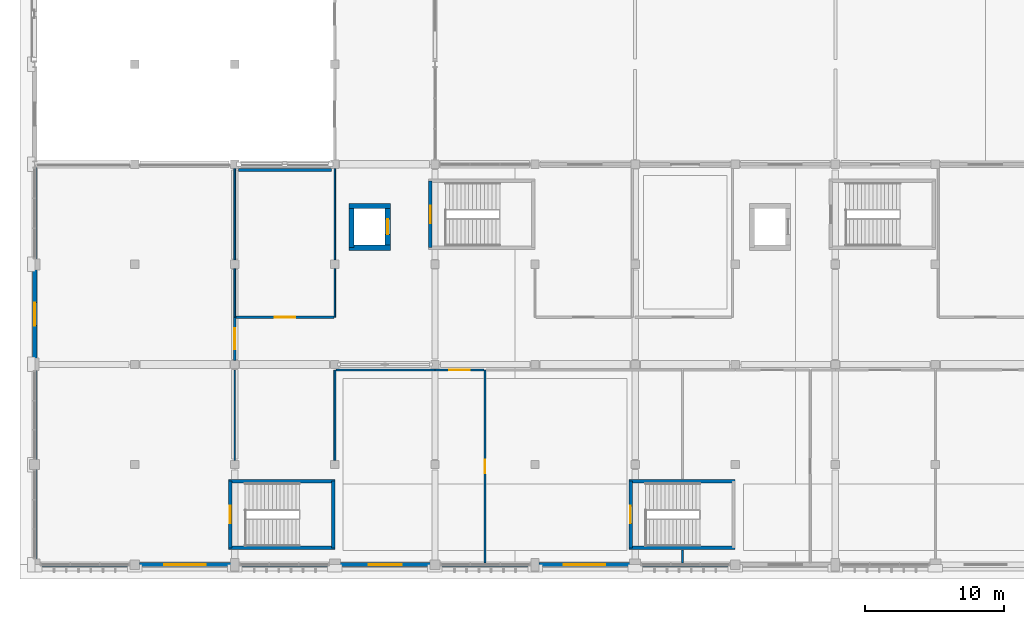
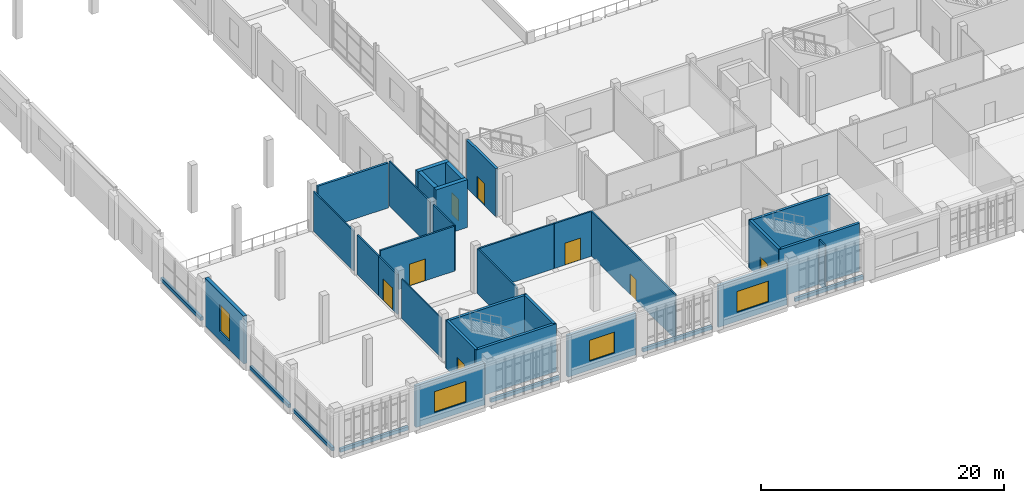
# One storey, part 56 of 82: 36 walls, 8 doors, 4 windows, 12 openings.
"""IFC4 building model written with IfcOpenShell, lengths in metres."""

from ifc_helpers import new_model, si_unit, direction, frame, frame_2d, origin, place, context, subcontext, project, spatial, rectangle, extrude, material, layer, layer_set, type_object, element, fill, save


model = new_model("IFC4")

# Units and contexts
model_context = context("Model", 3, precision=1e-05, world=origin(), true_north=direction((0.0, 1.0)))
body_context = subcontext(model_context, "Body", "Model", "MODEL_VIEW")
ifc_project = project(units=[si_unit("LENGTHUNIT", "METRE"), si_unit("AREAUNIT", "SQUARE_METRE"), si_unit("VOLUMEUNIT", "CUBIC_METRE"), si_unit("PLANEANGLEUNIT", "RADIAN"), si_unit("MASSUNIT", "GRAM", prefix="KILO")], contexts=[model_context])

# Site, building, storey
site_placement = place(None, origin())
site = spatial("IfcSite", under=ifc_project, at=site_placement, CompositionType="ELEMENT")
building_placement = place(site_placement, origin())
building = spatial("IfcBuilding", under=site, at=building_placement, Name="Sardonyx Promenade Sports Hall", CompositionType="ELEMENT")
storey_placement = place(building_placement, frame((0.0, 0.0, 11.199951171875)))
storey = spatial("IfcBuildingStorey", under=building, at=storey_placement, Name="L02", CompositionType="ELEMENT", Elevation=11.199951171875)

# Wall, opening, door
ifc_material_1 = material(Name="Concrete C40/50", Category="concrete")
ifc_layer_1 = layer(ifc_material_1, 0.3798828125)
ifc_layer_set_1 = layer_set([ifc_layer_1], Name="Wall_Core_Shear_380")
wall_type_1 = type_object("IfcWallType", Name="Wall_Core_Shear_380", PredefinedType="SHEAR", material=ifc_layer_set_1)
wall_1_placement = place(storey_placement, frame((25.39990234375, 22.800048828125, 0.0), z_axis=(0.0, 0.0, 1.0), x_axis=(0.0, 1.0, 0.0)))
wall_1 = element("IfcWall", 1, at=wall_1_placement, inside=storey, type_object=wall_type_1, Name="Lift shaft wall LF1 L02 E", PredefinedType="SHEAR", context=body_context, shape_type="SweptSolid", body=[
    extrude(rectangle(XDim=3.0, YDim=0.3798828125, at=frame_2d((1.5, 0.0))), origin(), (0.0, 0.0, 1.0), 4.800048828125),
])
opening_1_placement = place(wall_1_placement, frame((0.949951171875, 0.0, 0.0)))
opening_1 = element("IfcOpeningElement", 2, at=opening_1_placement, cuts=wall_1, Name="Opening LD01", PredefinedType="OPENING", context=body_context, shape_type="SweptSolid", body=[
    extrude(rectangle(XDim=1.10009765625, YDim=2.199951171875, at=frame_2d((0.550048828125, 1.10009765625))), frame((0.0, 0.2, 0.0), z_axis=(0.0, -1.0, 0.0), x_axis=(1.0, 0.0, 0.0)), (0.0, 0.0, 1.0), 0.4),
])
ifc_material_2 = material(Name="Fire-rated stainless steel sliding lift door", Category="steel")
door_type_1 = type_object("IfcDoorType", Name="Door_Lift_Pass_110x220", OperationType="NOTDEFINED", PredefinedType="DOOR", material=ifc_material_2)
door_1_placement = place(opening_1_placement, origin())
door_1 = element("IfcDoor", 3, at=door_1_placement, inside=storey, type_object=door_type_1, Name="Lift landing sliding door LD-LF1-L02", OperationType="SLIDING_TO_LEFT", OverallHeight=2.199951171875, OverallWidth=1.10009765625, PredefinedType="DOOR", context=body_context, shape_type="SweptSolid", body=[
    extrude(rectangle(XDim=1.10009765625, YDim=2.199951171875, at=frame_2d((0.550048828125, 1.10009765625))), frame((0.0, 0.02490234375, 0.0), z_axis=(0.0, -1.0, 0.0), x_axis=(1.0, 0.0, 0.0)), (0.0, 0.0, 1.0), 0.050048828125),
])
fill(opening_1, door_1)

# Walls
wall_2_placement = place(storey_placement, frame((22.610107421875, 25.800048828125, 0.0), z_axis=(0.0, 0.0, 1.0), x_axis=(1.0, 0.0, 0.0)))
element("IfcWall", 4, at=wall_2_placement, inside=storey, type_object=wall_type_1, Name="Lift shaft wall LF1 L02 N", PredefinedType="SHEAR", context=body_context, shape_type="SweptSolid", body=[
    extrude(rectangle(XDim=2.97998046875, YDim=0.3798828125, at=frame_2d((1.489990234375, 0.0))), origin(), (0.0, 0.0, 1.0), 4.800048828125),
])
wall_3_placement = place(storey_placement, frame((22.800048828125, 25.800048828125, 0.0), z_axis=(0.0, 0.0, 1.0), x_axis=(0.0, -1.0, 0.0)))
element("IfcWall", 5, at=wall_3_placement, inside=storey, type_object=wall_type_1, Name="Lift shaft wall LF1 L02 W", PredefinedType="SHEAR", context=body_context, shape_type="SweptSolid", body=[
    extrude(rectangle(XDim=3.0, YDim=0.3798828125, at=frame_2d((1.5, 0.0))), origin(), (0.0, 0.0, 1.0), 4.800048828125),
])
wall_4_placement = place(storey_placement, frame((25.590087890625, 22.800048828125, 0.0), z_axis=(0.0, 0.0, 1.0), x_axis=(-1.0, 0.0, 0.0)))
element("IfcWall", 6, at=wall_4_placement, inside=storey, type_object=wall_type_1, Name="Lift shaft wall LF1 L02 S", PredefinedType="SHEAR", context=body_context, shape_type="SweptSolid", body=[
    extrude(rectangle(XDim=2.97998046875, YDim=0.3798828125, at=frame_2d((1.489990234375, 0.0))), origin(), (0.0, 0.0, 1.0), 4.800048828125),
])

# Wall, opening, window
ifc_material_3 = material(Name="Concrete C40/50", Category="concrete")
ifc_layer_2 = layer(ifc_material_3, 0.320068359375)
ifc_layer_set_2 = layer_set([ifc_layer_2], Name="Wall_Ext_Court_320")
wall_type_2 = type_object("IfcWallType", Name="Wall_Ext_Court_320", PredefinedType="SOLIDWALL", material=ifc_layer_set_2)
wall_5_placement = place(storey_placement, frame((0.0, 14.8349609375, 0.0), z_axis=(0.0, 0.0, 1.0), x_axis=(0.0, 1.0, 0.0)))
wall_5 = element("IfcWall", 7, at=wall_5_placement, inside=storey, type_object=wall_type_2, Name="Exterior wall EW01 L02 #150", PredefinedType="SOLIDWALL", context=body_context, shape_type="SweptSolid", body=[
    extrude(rectangle(XDim=6.380126953125, YDim=0.320068359375, at=frame_2d((3.18994140625, 0.0))), origin(), (0.0, 0.0, 1.0), 4.800048828125),
])
opening_2_placement = place(wall_5_placement, frame((2.364990234375, 0.0, 0.89990234375)))
opening_2 = element("IfcOpeningElement", 8, at=opening_2_placement, cuts=wall_5, Name="Opening W10", PredefinedType="OPENING", context=body_context, shape_type="SweptSolid", body=[
    extrude(rectangle(XDim=1.64990234375, YDim=2.699951171875, at=frame_2d((0.824951171875, 1.35009765625))), frame((0.0, 0.17, 0.0), z_axis=(0.0, -1.0, 0.0), x_axis=(1.0, 0.0, 0.0)), (0.0, 0.0, 1.0), 0.34),
])
ifc_material_4 = material(Name="Double-glazed solar low-E aluminium window", Category="aluminium")
window_type_1 = type_object("IfcWindowType", Name="Win_Sandstone_TallB", PartitioningType="SINGLE_PANEL", PredefinedType="WINDOW", material=ifc_material_4)
window_1_placement = place(opening_2_placement, origin())
window_1 = element("IfcWindow", 9, at=window_1_placement, inside=storey, type_object=window_type_1, Name="Facade window W10 L02 #64", OverallHeight=2.699951171875, OverallWidth=1.64990234375, PartitioningType="SINGLE_PANEL", PredefinedType="WINDOW", context=body_context, shape_type="SweptSolid", body=[
    extrude(rectangle(XDim=1.64990234375, YDim=2.699951171875, at=frame_2d((0.824951171875, 1.35009765625))), frame((0.0, 0.030029296875, 0.0), z_axis=(0.0, -1.0, 0.0), x_axis=(1.0, 0.0, 0.0)), (0.0, 0.0, 1.0), 0.06005859375),
])
fill(opening_2, window_1)

# Walls
ifc_material_5 = material(Name="Masonry CMU 15 MPa", Category="masonry")
ifc_layer_3 = layer(ifc_material_5, 0.239990234375)
ifc_layer_set_3 = layer_set([ifc_layer_3], Name="Wall_Ext_Spandrel_240")
wall_type_3 = type_object("IfcWallType", Name="Wall_Ext_Spandrel_240", PredefinedType="SOLIDWALL", material=ifc_layer_set_3)
wall_6_placement = place(storey_placement, frame((50.06494140625, 0.0, 0.0), z_axis=(0.0, 0.0, 1.0), x_axis=(-1.0, 0.0, 0.0)))
element("IfcWall", 10, at=wall_6_placement, inside=storey, type_object=wall_type_3, Name="Curtain-wall sill spandrel L02 #70", PredefinedType="SOLIDWALL", context=body_context, shape_type="SweptSolid", body=[
    extrude(rectangle(XDim=6.47998046875, YDim=0.239990234375, at=frame_2d((3.239990234375, 0.0))), origin(), (0.0, 0.0, 1.0), 0.35009765625),
])
wall_7_placement = place(storey_placement, frame((35.715087890625, 0.0, 0.0), z_axis=(0.0, 0.0, 1.0), x_axis=(-1.0, 0.0, 0.0)))
element("IfcWall", 11, at=wall_7_placement, inside=storey, type_object=wall_type_3, Name="Curtain-wall sill spandrel L02 #72", PredefinedType="SOLIDWALL", context=body_context, shape_type="SweptSolid", body=[
    extrude(rectangle(XDim=6.580078125, YDim=0.239990234375, at=frame_2d((3.2900390625, 0.0))), origin(), (0.0, 0.0, 1.0), 0.35009765625),
])
wall_8_placement = place(storey_placement, frame((21.215087890625, 0.0, 0.0), z_axis=(0.0, 0.0, 1.0), x_axis=(-1.0, 0.0, 0.0)))
element("IfcWall", 12, at=wall_8_placement, inside=storey, type_object=wall_type_3, Name="Curtain-wall sill spandrel L02 #74", PredefinedType="SOLIDWALL", context=body_context, shape_type="SweptSolid", body=[
    extrude(rectangle(XDim=6.530029296875, YDim=0.239990234375, at=frame_2d((3.26513671875, 0.0))), origin(), (0.0, 0.0, 1.0), 0.35009765625),
])
for number, where, z_axis, x_axis, name in (
    (13, (6.864990234375, 0.0, 0.0), (0.0, 0.0, 1.0), (-1.0, 0.0, 0.0), "Curtain-wall sill spandrel L02 #76"),
    (14, (0.0, 0.385009765625, 0.0), (0.0, 0.0, 1.0), (0.0, 1.0, 0.0), "Curtain-wall sill spandrel L02 #148"),
):
    element("IfcWall", number, at=place(storey_placement, frame(where, z_axis=z_axis, x_axis=x_axis)), inside=storey, type_object=wall_type_3, Name=name, PredefinedType="SOLIDWALL", context=body_context, shape_type="SweptSolid", body=[
        extrude(rectangle(XDim=6.47998046875, YDim=0.239990234375, at=frame_2d((3.239990234375, 0.0))), origin(), (0.0, 0.0, 1.0), 0.35009765625),
    ])
wall_9_placement = place(storey_placement, frame((0.0, 7.534912109375, 0.0), z_axis=(0.0, 0.0, 1.0), x_axis=(0.0, 1.0, 0.0)))
element("IfcWall", 15, at=wall_9_placement, inside=storey, type_object=wall_type_3, Name="Curtain-wall sill spandrel L02 #149", PredefinedType="SOLIDWALL", context=body_context, shape_type="SweptSolid", body=[
    extrude(rectangle(XDim=6.43017578125, YDim=0.239990234375, at=frame_2d((3.215087890625, 0.0))), origin(), (0.0, 0.0, 1.0), 0.35009765625),
])
wall_10_placement = place(storey_placement, frame((0.0, 21.985107421875, 0.0), z_axis=(0.0, 0.0, 1.0), x_axis=(0.0, 1.0, 0.0)))
element("IfcWall", 16, at=wall_10_placement, inside=storey, type_object=wall_type_3, Name="Curtain-wall sill spandrel L02 #151", PredefinedType="SOLIDWALL", context=body_context, shape_type="SweptSolid", body=[
    extrude(rectangle(XDim=6.60986328125, YDim=0.239990234375, at=frame_2d((3.304931640625, 0.0))), origin(), (0.0, 0.0, 1.0), 0.35009765625),
])

# Wall, opening, window
ifc_material_6 = material(Name="Concrete C40/50", Category="concrete")
ifc_layer_4 = layer(ifc_material_6, 0.280029296875)
ifc_layer_set_4 = layer_set([ifc_layer_4], Name="Wall_Ext_Wing_280")
wall_type_4 = type_object("IfcWallType", Name="Wall_Ext_Wing_280", PredefinedType="SOLIDWALL", material=ifc_layer_set_4)
wall_11_placement = place(storey_placement, frame((42.81494140625, 0.0, 0.0), z_axis=(0.0, 0.0, 1.0), x_axis=(-1.0, 0.0, 0.0)))
wall_11 = element("IfcWall", 17, at=wall_11_placement, inside=storey, type_object=wall_type_4, Name="Exterior wall EW02 L02 #71", PredefinedType="SOLIDWALL", context=body_context, shape_type="SweptSolid", body=[
    extrude(rectangle(XDim=6.530029296875, YDim=0.280029296875, at=frame_2d((3.26513671875, 0.0))), origin(), (0.0, 0.0, 1.0), 4.18505859375),
])
opening_3_placement = place(wall_11_placement, frame((1.764892578125, 0.0, 0.89990234375)))
opening_3 = element("IfcOpeningElement", 18, at=opening_3_placement, cuts=wall_11, Name="Opening W21", PredefinedType="OPENING", context=body_context, shape_type="SweptSolid", body=[
    extrude(rectangle(XDim=3.0, YDim=2.10009765625, at=frame_2d((1.5, 1.050048828125))), frame((0.0, 0.15, 0.0), z_axis=(0.0, -1.0, 0.0), x_axis=(1.0, 0.0, 0.0)), (0.0, 0.0, 1.0), 0.3),
])
ifc_material_7 = material(Name="Double-glazed solar low-E aluminium window", Category="aluminium")
window_type_2 = type_object("IfcWindowType", Name="Win_Studio_300x210", PartitioningType="DOUBLE_PANEL_VERTICAL", PredefinedType="WINDOW", material=ifc_material_7)
window_2_placement = place(opening_3_placement, origin())
window_2 = element("IfcWindow", 19, at=window_2_placement, inside=storey, type_object=window_type_2, Name="Facade window W21 L02 #28", OverallHeight=2.10009765625, OverallWidth=3.0, PartitioningType="SINGLE_PANEL", PredefinedType="WINDOW", context=body_context, shape_type="SweptSolid", body=[
    extrude(rectangle(XDim=3.0, YDim=2.10009765625, at=frame_2d((1.5, 1.050048828125))), frame((0.0, 0.030029296875, 0.0), z_axis=(0.0, -1.0, 0.0), x_axis=(1.0, 0.0, 0.0)), (0.0, 0.0, 1.0), 0.06005859375),
])
fill(opening_3, window_2)

wall_12_placement = place(storey_placement, frame((28.465087890625, 0.0, 0.0), z_axis=(0.0, 0.0, 1.0), x_axis=(-1.0, 0.0, 0.0)))
wall_12 = element("IfcWall", 20, at=wall_12_placement, inside=storey, type_object=wall_type_4, Name="Exterior wall EW02 L02 #73", PredefinedType="SOLIDWALL", context=body_context, shape_type="SweptSolid", body=[
    extrude(rectangle(XDim=6.47998046875, YDim=0.280029296875, at=frame_2d((3.239990234375, 0.0))), origin(), (0.0, 0.0, 1.0), 4.18505859375),
])
opening_4_placement = place(wall_12_placement, frame((2.0400390625, 0.0, 0.89990234375)))
opening_4 = element("IfcOpeningElement", 21, at=opening_4_placement, cuts=wall_12, Name="Opening W16", PredefinedType="OPENING", context=body_context, shape_type="SweptSolid", body=[
    extrude(rectangle(XDim=2.39990234375, YDim=2.10009765625, at=frame_2d((1.199951171875, 1.050048828125))), frame((0.0, 0.15, 0.0), z_axis=(0.0, -1.0, 0.0), x_axis=(1.0, 0.0, 0.0)), (0.0, 0.0, 1.0), 0.3),
])
ifc_material_8 = material(Name="Double-glazed solar low-E aluminium window", Category="aluminium")
window_type_3 = type_object("IfcWindowType", Name="Win_Studio_240x210", PartitioningType="DOUBLE_PANEL_VERTICAL", PredefinedType="WINDOW", material=ifc_material_8)
window_3_placement = place(opening_4_placement, origin())
window_3 = element("IfcWindow", 22, at=window_3_placement, inside=storey, type_object=window_type_3, Name="Facade window W16 L02 #29", OverallHeight=2.10009765625, OverallWidth=2.39990234375, PartitioningType="SINGLE_PANEL", PredefinedType="WINDOW", context=body_context, shape_type="SweptSolid", body=[
    extrude(rectangle(XDim=2.39990234375, YDim=2.10009765625, at=frame_2d((1.199951171875, 1.050048828125))), frame((0.0, 0.030029296875, 0.0), z_axis=(0.0, -1.0, 0.0), x_axis=(1.0, 0.0, 0.0)), (0.0, 0.0, 1.0), 0.06005859375),
])
fill(opening_4, window_3)

wall_13_placement = place(storey_placement, frame((14.114990234375, 0.0, 0.0), z_axis=(0.0, 0.0, 1.0), x_axis=(-1.0, 0.0, 0.0)))
wall_13 = element("IfcWall", 23, at=wall_13_placement, inside=storey, type_object=wall_type_4, Name="Exterior wall EW02 L02 #75", PredefinedType="SOLIDWALL", context=body_context, shape_type="SweptSolid", body=[
    extrude(rectangle(XDim=6.580078125, YDim=0.280029296875, at=frame_2d((3.2900390625, 0.0))), origin(), (0.0, 0.0, 1.0), 4.18505859375),
])
opening_5_placement = place(wall_13_placement, frame((1.7900390625, 0.0, 0.89990234375)))
opening_5 = element("IfcOpeningElement", 24, at=opening_5_placement, cuts=wall_13, Name="Opening W21", PredefinedType="OPENING", context=body_context, shape_type="SweptSolid", body=[
    extrude(rectangle(XDim=3.0, YDim=2.10009765625, at=frame_2d((1.5, 1.050048828125))), frame((0.0, 0.15, 0.0), z_axis=(0.0, -1.0, 0.0), x_axis=(1.0, 0.0, 0.0)), (0.0, 0.0, 1.0), 0.3),
])
window_4_placement = place(opening_5_placement, origin())
window_4 = element("IfcWindow", 25, at=window_4_placement, inside=storey, type_object=window_type_2, Name="Facade window W21 L02 #30", OverallHeight=2.10009765625, OverallWidth=3.0, PartitioningType="SINGLE_PANEL", PredefinedType="WINDOW", context=body_context, shape_type="SweptSolid", body=[
    extrude(rectangle(XDim=3.0, YDim=2.10009765625, at=frame_2d((1.5, 1.050048828125))), frame((0.0, 0.030029296875, 0.0), z_axis=(0.0, -1.0, 0.0), x_axis=(1.0, 0.0, 0.0)), (0.0, 0.0, 1.0), 0.06005859375),
])
fill(opening_5, window_4)

# Wall, opening, door
ifc_material_9 = material(Name="Twin-stud acoustic gypsum partition", Category="gypsum")
ifc_layer_5 = layer(ifc_material_9, 0.169921875)
ifc_layer_set_5 = layer_set([ifc_layer_5], Name="Wall_Part_Acoust_170")
wall_type_5 = type_object("IfcWallType", Name="Wall_Part_Acoust_170", PredefinedType="PARTITIONING", material=ifc_layer_set_5)
wall_14_placement = place(storey_placement, frame((14.485107421875, 17.800048828125, 0.0), z_axis=(0.0, 0.0, 1.0), x_axis=(1.0, 0.0, 0.0)))
wall_14 = element("IfcWall", 26, at=wall_14_placement, inside=storey, type_object=wall_type_5, Name="Interior partition PW06 L02 #290", PredefinedType="PARTITIONING", context=body_context, shape_type="SweptSolid", body=[
    extrude(rectangle(XDim=7.044921875, YDim=0.169921875, at=frame_2d((3.5224609375, 0.0))), origin(), (0.0, 0.0, 1.0), 4.510009765625),
])
opening_6_placement = place(wall_14_placement, frame((2.7724609375, 0.0, 0.0)))
opening_6 = element("IfcOpeningElement", 27, at=opening_6_placement, cuts=wall_14, Name="Opening ID10", PredefinedType="OPENING", context=body_context, shape_type="SweptSolid", body=[
    extrude(rectangle(XDim=1.5, YDim=2.199951171875, at=frame_2d((0.75, 1.10009765625))), frame((0.0, 0.095, 0.0), z_axis=(0.0, -1.0, 0.0), x_axis=(1.0, 0.0, 0.0)), (0.0, 0.0, 1.0), 0.19),
])
ifc_material_10 = material(Name="Double studio entrance fire door FD30S", Category="wood")
door_type_2 = type_object("IfcDoorType", Name="Door_Corr_FD30_150x220", OperationType="NOTDEFINED", PredefinedType="DOOR", material=ifc_material_10)
door_2_placement = place(opening_6_placement, origin())
door_2 = element("IfcDoor", 28, at=door_2_placement, inside=storey, type_object=door_type_2, Name="Interior door D02-090", OperationType="DOUBLE_DOOR_SINGLE_SWING", OverallHeight=2.199951171875, OverallWidth=1.5, PredefinedType="DOOR", context=body_context, shape_type="SweptSolid", body=[
    extrude(rectangle(XDim=1.5, YDim=2.199951171875, at=frame_2d((0.75, 1.10009765625))), frame((0.0, 0.02490234375, 0.0), z_axis=(0.0, -1.0, 0.0), x_axis=(1.0, 0.0, 0.0)), (0.0, 0.0, 1.0), 0.050048828125),
])
fill(opening_6, door_2)

# Walls
ifc_material_11 = material(Name="Masonry CMU 15 MPa", Category="masonry")
ifc_layer_6 = layer(ifc_material_11, 0.2099609375)
ifc_layer_set_6 = layer_set([ifc_layer_6], Name="Wall_Part_Block_210")
wall_type_6 = type_object("IfcWallType", Name="Wall_Part_Block_210", PredefinedType="PARTITIONING", material=ifc_layer_set_6)
wall_15_placement = place(storey_placement, frame((14.659912109375, 28.39990234375, 0.0), z_axis=(0.0, 0.0, 1.0), x_axis=(1.0, 0.0, 0.0)))
element("IfcWall", 29, at=wall_15_placement, inside=storey, type_object=wall_type_6, Name="Interior partition PW07 L02 #274", PredefinedType="PARTITIONING", context=body_context, shape_type="SweptSolid", body=[
    extrude(rectangle(XDim=6.68017578125, YDim=0.2099609375, at=frame_2d((3.340087890625, 0.0))), origin(), (0.0, 0.0, 1.0), 4.510009765625),
])
ifc_material_12 = material(Name="Hygienic clinical stud partition", Category="gypsum")
ifc_layer_7 = layer(ifc_material_12, 0.1201171875)
ifc_layer_set_7 = layer_set([ifc_layer_7], Name="Wall_Part_Clinic_120")
wall_type_7 = type_object("IfcWallType", Name="Wall_Part_Clinic_120", PredefinedType="PARTITIONING", material=ifc_layer_set_7)
wall_16_placement = place(storey_placement, frame((21.60009765625, 17.800048828125, 0.0), z_axis=(0.0, 0.0, 1.0), x_axis=(0.0, 1.0, 0.0)))
element("IfcWall", 30, at=wall_16_placement, inside=storey, type_object=wall_type_7, Name="Interior partition PW02 L02 #257", PredefinedType="PARTITIONING", context=body_context, shape_type="SweptSolid", body=[
    extrude(rectangle(XDim=3.5, YDim=0.1201171875, at=frame_2d((1.75, 0.0))), origin(), (0.0, 0.0, 1.0), 4.510009765625),
])
wall_17_placement = place(storey_placement, frame((21.60009765625, 21.89990234375, 0.0), z_axis=(0.0, 0.0, 1.0), x_axis=(0.0, 1.0, 0.0)))
element("IfcWall", 31, at=wall_17_placement, inside=storey, type_object=wall_type_7, Name="Interior partition PW02 L02 #258", PredefinedType="PARTITIONING", context=body_context, shape_type="SweptSolid", body=[
    extrude(rectangle(XDim=6.60009765625, YDim=0.1201171875, at=frame_2d((3.300048828125, 0.0))), origin(), (0.0, 0.0, 1.0), 4.510009765625),
])

# Wall, opening, door
ifc_material_13 = material(Name="Fire-rated stud gypsum partition", Category="gypsum")
ifc_layer_8 = layer(ifc_material_13, 0.14990234375)
ifc_layer_set_8 = layer_set([ifc_layer_8], Name="Wall_Part_Corridor_150")
wall_type_8 = type_object("IfcWallType", Name="Wall_Part_Corridor_150", PredefinedType="PARTITIONING", material=ifc_layer_set_8)
wall_18_placement = place(storey_placement, frame((14.39990234375, 14.699951171875, 0.0), z_axis=(0.0, 0.0, 1.0), x_axis=(0.0, 1.0, 0.0)))
wall_18 = element("IfcWall", 32, at=wall_18_placement, inside=storey, type_object=wall_type_8, Name="Interior partition PW04 L02 #272", PredefinedType="PARTITIONING", context=body_context, shape_type="SweptSolid", body=[
    extrude(rectangle(XDim=3.090087890625, YDim=0.14990234375, at=frame_2d((1.544921875, 0.0))), origin(), (0.0, 0.0, 1.0), 3.989990234375),
])
opening_7_placement = place(wall_18_placement, frame((0.794921875, 0.0, 0.0)))
opening_7 = element("IfcOpeningElement", 33, at=opening_7_placement, cuts=wall_18, Name="Opening ID10", PredefinedType="OPENING", context=body_context, shape_type="SweptSolid", body=[
    extrude(rectangle(XDim=1.5, YDim=2.199951171875, at=frame_2d((0.75, 1.10009765625))), frame((0.0, 0.085, 0.0), z_axis=(0.0, -1.0, 0.0), x_axis=(1.0, 0.0, 0.0)), (0.0, 0.0, 1.0), 0.17),
])
door_3_placement = place(opening_7_placement, origin())
door_3 = element("IfcDoor", 34, at=door_3_placement, inside=storey, type_object=door_type_2, Name="Interior door D02-079", OperationType="DOUBLE_DOOR_SINGLE_SWING", OverallHeight=2.199951171875, OverallWidth=1.5, PredefinedType="DOOR", context=body_context, shape_type="SweptSolid", body=[
    extrude(rectangle(XDim=1.5, YDim=2.199951171875, at=frame_2d((0.75, 1.10009765625))), frame((0.0, 0.02490234375, 0.0), z_axis=(0.0, -1.0, 0.0), x_axis=(1.0, 0.0, 0.0)), (0.0, 0.0, 1.0), 0.050048828125),
])
fill(opening_7, door_3)

# Wall
wall_19_placement = place(storey_placement, frame((21.679931640625, 14.0, 0.0), z_axis=(0.0, 0.0, 1.0), x_axis=(1.0, 0.0, 0.0)))
element("IfcWall", 35, at=wall_19_placement, inside=storey, type_object=wall_type_8, Name="Interior partition PW04 L02 #275", PredefinedType="PARTITIONING", context=body_context, shape_type="SweptSolid", body=[
    extrude(rectangle(XDim=7.1201171875, YDim=0.14990234375, at=frame_2d((3.56005859375, 0.0))), origin(), (0.0, 0.0, 1.0), 4.510009765625),
])

# Wall, opening, door
wall_20_placement = place(storey_placement, frame((28.81005859375, 14.0, 0.0), z_axis=(0.0, 0.0, 1.0), x_axis=(1.0, 0.0, 0.0)))
wall_20 = element("IfcWall", 36, at=wall_20_placement, inside=storey, type_object=wall_type_8, Name="Interior partition PW04 L02 #276", PredefinedType="PARTITIONING", context=body_context, shape_type="SweptSolid", body=[
    extrude(rectangle(XDim=3.514892578125, YDim=0.14990234375, at=frame_2d((1.75732421875, 0.0))), origin(), (0.0, 0.0, 1.0), 4.510009765625),
])
opening_8_placement = place(wall_20_placement, frame((1.007568359375, 0.0, 0.0)))
opening_8 = element("IfcOpeningElement", 37, at=opening_8_placement, cuts=wall_20, Name="Opening ID10", PredefinedType="OPENING", context=body_context, shape_type="SweptSolid", body=[
    extrude(rectangle(XDim=1.5, YDim=2.199951171875, at=frame_2d((0.75, 1.10009765625))), frame((0.0, 0.085, 0.0), z_axis=(0.0, -1.0, 0.0), x_axis=(1.0, 0.0, 0.0)), (0.0, 0.0, 1.0), 0.17),
])
door_4_placement = place(opening_8_placement, origin())
door_4 = element("IfcDoor", 38, at=door_4_placement, inside=storey, type_object=door_type_2, Name="Interior door D02-081", OperationType="DOUBLE_DOOR_SINGLE_SWING", OverallHeight=2.199951171875, OverallWidth=1.5, PredefinedType="DOOR", context=body_context, shape_type="SweptSolid", body=[
    extrude(rectangle(XDim=1.5, YDim=2.199951171875, at=frame_2d((0.75, 1.10009765625))), frame((0.0, 0.02490234375, 0.0), z_axis=(0.0, -1.0, 0.0), x_axis=(1.0, 0.0, 0.0)), (0.0, 0.0, 1.0), 0.050048828125),
])
fill(opening_8, door_4)

# Walls
ifc_material_14 = material(Name="Lightweight steel-stud partition", Category="steel")
ifc_layer_9 = layer(ifc_material_14, 0.10009765625)
ifc_layer_set_9 = layer_set([ifc_layer_9], Name="Wall_Part_Light_100")
wall_type_9 = type_object("IfcWallType", Name="Wall_Part_Light_100", PredefinedType="PARTITIONING", material=ifc_layer_set_9)
wall_21_placement = place(storey_placement, frame((14.39990234375, 7.5, 0.0), z_axis=(0.0, 0.0, 1.0), x_axis=(0.0, 1.0, 0.0)))
element("IfcWall", 39, at=wall_21_placement, inside=storey, type_object=wall_type_9, Name="Interior partition PW01 L02 #237", PredefinedType="PARTITIONING", context=body_context, shape_type="SweptSolid", body=[
    extrude(rectangle(XDim=6.5, YDim=0.10009765625, at=frame_2d((3.25, 0.0))), origin(), (0.0, 0.0, 1.0), 3.989990234375),
])
ifc_material_15 = material(Name="Acoustic sports stud partition", Category="gypsum")
ifc_layer_10 = layer(ifc_material_15, 0.1298828125)
ifc_layer_set_10 = layer_set([ifc_layer_10], Name="Wall_Part_Studio_130")
wall_type_10 = type_object("IfcWallType", Name="Wall_Part_Studio_130", PredefinedType="PARTITIONING", material=ifc_layer_set_10)
wall_22_placement = place(storey_placement, frame((46.60009765625, 0.1298828125, 0.0), z_axis=(0.0, 0.0, 1.0), x_axis=(0.0, 1.0, 0.0)))
element("IfcWall", 40, at=wall_22_placement, inside=storey, type_object=wall_type_10, Name="Interior partition PW05 L02 #239", PredefinedType="PARTITIONING", context=body_context, shape_type="SweptSolid", body=[
    extrude(rectangle(XDim=0.920166015625, YDim=0.1298828125, at=frame_2d((0.4599609375, 0.0))), origin(), (0.0, 0.0, 1.0), 4.510009765625),
])

# Wall, opening, door
wall_23_placement = place(storey_placement, frame((32.39990234375, 0.1298828125, 0.0), z_axis=(0.0, 0.0, 1.0), x_axis=(0.0, 1.0, 0.0)))
wall_23 = element("IfcWall", 41, at=wall_23_placement, inside=storey, type_object=wall_type_10, Name="Interior partition PW05 L02 #252", PredefinedType="PARTITIONING", context=body_context, shape_type="SweptSolid", body=[
    extrude(rectangle(XDim=13.8701171875, YDim=0.1298828125, at=frame_2d((6.93505859375, 0.0))), origin(), (0.0, 0.0, 1.0), 4.510009765625),
])
opening_9_placement = place(wall_23_placement, frame((6.4599609375, 0.0, 0.0)))
opening_9 = element("IfcOpeningElement", 42, at=opening_9_placement, cuts=wall_23, Name="Opening ID08", PredefinedType="OPENING", context=body_context, shape_type="SweptSolid", body=[
    extrude(rectangle(XDim=0.949951171875, YDim=2.10009765625, at=frame_2d((0.47509765625, 1.050048828125))), frame((0.0, 0.075, 0.0), z_axis=(0.0, -1.0, 0.0), x_axis=(1.0, 0.0, 0.0)), (0.0, 0.0, 1.0), 0.15),
])
ifc_material_16 = material(Name="Painted timber accessible suite door", Category="wood")
door_type_3 = type_object("IfcDoorType", Name="Door_Suite_095x210", OperationType="NOTDEFINED", PredefinedType="DOOR", material=ifc_material_16)
door_5_placement = place(opening_9_placement, origin())
door_5 = element("IfcDoor", 43, at=door_5_placement, inside=storey, type_object=door_type_3, Name="Interior door D02-076", OperationType="SINGLE_SWING_LEFT", OverallHeight=2.10009765625, OverallWidth=0.949951171875, PredefinedType="DOOR", context=body_context, shape_type="SweptSolid", body=[
    extrude(rectangle(XDim=0.949951171875, YDim=2.10009765625, at=frame_2d((0.47509765625, 1.050048828125))), frame((0.0, 0.02490234375, 0.0), z_axis=(0.0, -1.0, 0.0), x_axis=(1.0, 0.0, 0.0)), (0.0, 0.0, 1.0), 0.050048828125),
])
fill(opening_9, door_5)

# Walls
wall_24_placement = place(storey_placement, frame((14.39990234375, 17.800048828125, 0.0), z_axis=(0.0, 0.0, 1.0), x_axis=(0.0, 1.0, 0.0)))
element("IfcWall", 44, at=wall_24_placement, inside=storey, type_object=wall_type_10, Name="Interior partition PW05 L02 #255", PredefinedType="PARTITIONING", context=body_context, shape_type="SweptSolid", body=[
    extrude(rectangle(XDim=3.5, YDim=0.1298828125, at=frame_2d((1.75, 0.0))), origin(), (0.0, 0.0, 1.0), 3.989990234375),
])
wall_25_placement = place(storey_placement, frame((14.39990234375, 21.89990234375, 0.0), z_axis=(0.0, 0.0, 1.0), x_axis=(0.0, 1.0, 0.0)))
element("IfcWall", 45, at=wall_25_placement, inside=storey, type_object=wall_type_10, Name="Interior partition PW05 L02 #256", PredefinedType="PARTITIONING", context=body_context, shape_type="SweptSolid", body=[
    extrude(rectangle(XDim=6.60009765625, YDim=0.1298828125, at=frame_2d((3.300048828125, 0.0))), origin(), (0.0, 0.0, 1.0), 3.989990234375),
])
ifc_material_17 = material(Name="Moisture-resistant masonry partition", Category="masonry")
ifc_layer_11 = layer(ifc_material_17, 0.139892578125)
ifc_layer_set_11 = layer_set([ifc_layer_11], Name="Wall_Part_Wet_140")
wall_type_11 = type_object("IfcWallType", Name="Wall_Part_Wet_140", PredefinedType="PARTITIONING", material=ifc_layer_set_11)
wall_26_placement = place(storey_placement, frame((21.60009765625, 7.5, 0.0), z_axis=(0.0, 0.0, 1.0), x_axis=(0.0, 1.0, 0.0)))
element("IfcWall", 46, at=wall_26_placement, inside=storey, type_object=wall_type_11, Name="Interior partition PW08 L02 #238", PredefinedType="PARTITIONING", context=body_context, shape_type="SweptSolid", body=[
    extrude(rectangle(XDim=6.5, YDim=0.139892578125, at=frame_2d((3.25, 0.0))), origin(), (0.0, 0.0, 1.0), 4.510009765625),
])

# Wall, opening, door
ifc_material_18 = material(Name="Concrete C40/50", Category="concrete")
ifc_layer_12 = layer(ifc_material_18, 0.25)
ifc_layer_set_12 = layer_set([ifc_layer_12], Name="Wall_Stair_Shear_250")
wall_type_12 = type_object("IfcWallType", Name="Wall_Stair_Shear_250", PredefinedType="SHEAR", material=ifc_layer_set_12)
wall_27_placement = place(storey_placement, frame((28.47509765625, 22.800048828125, 0.0), z_axis=(0.0, 0.0, 1.0), x_axis=(0.0, 1.0, 0.0)))
wall_27 = element("IfcWall", 47, at=wall_27_placement, inside=storey, type_object=wall_type_12, Name="Stair shaft wall ST1 L02 entry", PredefinedType="SHEAR", context=body_context, shape_type="SweptSolid", body=[
    extrude(rectangle(XDim=4.800048828125, YDim=0.25, at=frame_2d((2.39990234375, 0.0))), origin(), (0.0, 0.0, 1.0), 4.800048828125),
])
opening_10_placement = place(wall_27_placement, frame((1.77490234375, 0.0, 0.0)))
opening_10 = element("IfcOpeningElement", 48, at=opening_10_placement, cuts=wall_27, Name="Opening ID13", PredefinedType="OPENING", context=body_context, shape_type="SweptSolid", body=[
    extrude(rectangle(XDim=1.25, YDim=2.199951171875, at=frame_2d((0.625, 1.10009765625))), frame((0.0, 0.135, 0.0), z_axis=(0.0, -1.0, 0.0), x_axis=(1.0, 0.0, 0.0)), (0.0, 0.0, 1.0), 0.27),
])
ifc_material_19 = material(Name="Solid-core hardwood fire door FD60S", Category="wood")
door_type_4 = type_object("IfcDoorType", Name="Door_Stair_FD60_125x220", OperationType="NOTDEFINED", PredefinedType="DOOR", material=ifc_material_19)
door_6_placement = place(opening_10_placement, origin())
door_6 = element("IfcDoor", 49, at=door_6_placement, inside=storey, type_object=door_type_4, Name="Protected stair door SD04 (ST1 L02)", OperationType="SINGLE_SWING_RIGHT", OverallHeight=2.199951171875, OverallWidth=1.25, PredefinedType="DOOR", context=body_context, shape_type="SweptSolid", body=[
    extrude(rectangle(XDim=1.25, YDim=2.199951171875, at=frame_2d((0.625, 1.10009765625))), frame((0.0, 0.02490234375, 0.0), z_axis=(0.0, -1.0, 0.0), x_axis=(1.0, 0.0, 0.0)), (0.0, 0.0, 1.0), 0.050048828125),
])
fill(opening_10, door_6)

wall_28_placement = place(storey_placement, frame((14.074951171875, 1.199951171875, 0.0), z_axis=(0.0, 0.0, 1.0), x_axis=(0.0, 1.0, 0.0)))
wall_28 = element("IfcWall", 50, at=wall_28_placement, inside=storey, type_object=wall_type_12, Name="Stair shaft wall ST5 L02 entry", PredefinedType="SHEAR", context=body_context, shape_type="SweptSolid", body=[
    extrude(rectangle(XDim=4.800048828125, YDim=0.25, at=frame_2d((2.39990234375, 0.0))), origin(), (0.0, 0.0, 1.0), 4.800048828125),
])
opening_11_placement = place(wall_28_placement, frame((1.77490234375, 0.0, 0.0)))
opening_11 = element("IfcOpeningElement", 51, at=opening_11_placement, cuts=wall_28, Name="Opening ID13", PredefinedType="OPENING", context=body_context, shape_type="SweptSolid", body=[
    extrude(rectangle(XDim=1.25, YDim=2.199951171875, at=frame_2d((0.625, 1.10009765625))), frame((0.0, 0.135, 0.0), z_axis=(0.0, -1.0, 0.0), x_axis=(1.0, 0.0, 0.0)), (0.0, 0.0, 1.0), 0.27),
])
door_7_placement = place(opening_11_placement, origin())
door_7 = element("IfcDoor", 52, at=door_7_placement, inside=storey, type_object=door_type_4, Name="Protected stair door SD24 (ST5 L02)", OperationType="SINGLE_SWING_RIGHT", OverallHeight=2.199951171875, OverallWidth=1.25, PredefinedType="DOOR", context=body_context, shape_type="SweptSolid", body=[
    extrude(rectangle(XDim=1.25, YDim=2.199951171875, at=frame_2d((0.625, 1.10009765625))), frame((0.0, 0.02490234375, 0.0), z_axis=(0.0, -1.0, 0.0), x_axis=(1.0, 0.0, 0.0)), (0.0, 0.0, 1.0), 0.050048828125),
])
fill(opening_11, door_7)

# Walls
wall_29_placement = place(storey_placement, frame((13.949951171875, 6.0, 0.0), z_axis=(0.0, 0.0, 1.0), x_axis=(1.0, 0.0, 0.0)))
element("IfcWall", 53, at=wall_29_placement, inside=storey, type_object=wall_type_12, Name="Stair shaft wall ST5 L02 N", PredefinedType="SHEAR", context=body_context, shape_type="SweptSolid", body=[
    extrude(rectangle(XDim=7.650146484375, YDim=0.25, at=frame_2d((3.8251953125, 0.0))), origin(), (0.0, 0.0, 1.0), 4.800048828125),
])
wall_30_placement = place(storey_placement, frame((21.47509765625, 6.0, 0.0), z_axis=(0.0, 0.0, 1.0), x_axis=(0.0, -1.0, 0.0)))
element("IfcWall", 54, at=wall_30_placement, inside=storey, type_object=wall_type_12, Name="Stair shaft wall ST5 L02 E", PredefinedType="SHEAR", context=body_context, shape_type="SweptSolid", body=[
    extrude(rectangle(XDim=4.800048828125, YDim=0.25, at=frame_2d((2.39990234375, 0.0))), origin(), (0.0, 0.0, 1.0), 4.800048828125),
])
wall_31_placement = place(storey_placement, frame((21.60009765625, 1.199951171875, 0.0), z_axis=(0.0, 0.0, 1.0), x_axis=(-1.0, 0.0, 0.0)))
element("IfcWall", 55, at=wall_31_placement, inside=storey, type_object=wall_type_12, Name="Stair shaft wall ST5 L02 S", PredefinedType="SHEAR", context=body_context, shape_type="SweptSolid", body=[
    extrude(rectangle(XDim=7.650146484375, YDim=0.25, at=frame_2d((3.8251953125, 0.0))), origin(), (0.0, 0.0, 1.0), 4.800048828125),
])

# Wall, opening, door
wall_32_placement = place(storey_placement, frame((42.875, 1.199951171875, 0.0), z_axis=(0.0, 0.0, 1.0), x_axis=(0.0, 1.0, 0.0)))
wall_32 = element("IfcWall", 56, at=wall_32_placement, inside=storey, type_object=wall_type_12, Name="Stair shaft wall ST6 L02 entry", PredefinedType="SHEAR", context=body_context, shape_type="SweptSolid", body=[
    extrude(rectangle(XDim=4.800048828125, YDim=0.25, at=frame_2d((2.39990234375, 0.0))), origin(), (0.0, 0.0, 1.0), 4.800048828125),
])
opening_12_placement = place(wall_32_placement, frame((1.77490234375, 0.0, 0.0)))
opening_12 = element("IfcOpeningElement", 57, at=opening_12_placement, cuts=wall_32, Name="Opening ID13", PredefinedType="OPENING", context=body_context, shape_type="SweptSolid", body=[
    extrude(rectangle(XDim=1.25, YDim=2.199951171875, at=frame_2d((0.625, 1.10009765625))), frame((0.0, 0.135, 0.0), z_axis=(0.0, -1.0, 0.0), x_axis=(1.0, 0.0, 0.0)), (0.0, 0.0, 1.0), 0.27),
])
door_8_placement = place(opening_12_placement, origin())
door_8 = element("IfcDoor", 58, at=door_8_placement, inside=storey, type_object=door_type_4, Name="Protected stair door SD29 (ST6 L02)", OperationType="SINGLE_SWING_LEFT", OverallHeight=2.199951171875, OverallWidth=1.25, PredefinedType="DOOR", context=body_context, shape_type="SweptSolid", body=[
    extrude(rectangle(XDim=1.25, YDim=2.199951171875, at=frame_2d((0.625, 1.10009765625))), frame((0.0, 0.02490234375, 0.0), z_axis=(0.0, -1.0, 0.0), x_axis=(1.0, 0.0, 0.0)), (0.0, 0.0, 1.0), 0.050048828125),
])
fill(opening_12, door_8)

# Walls
for number, where, z_axis, x_axis, name in (
    (59, (42.75, 6.0, 0.0), (0.0, 0.0, 1.0), (1.0, 0.0, 0.0), "Stair shaft wall ST6 L02 N"),
    (60, (50.39990234375, 1.199951171875, 0.0), (0.0, 0.0, 1.0), (-1.0, 0.0, 0.0), "Stair shaft wall ST6 L02 S"),
):
    element("IfcWall", number, at=place(storey_placement, frame(where, z_axis=z_axis, x_axis=x_axis)), inside=storey, type_object=wall_type_12, Name=name, PredefinedType="SHEAR", context=body_context, shape_type="SweptSolid", body=[
        extrude(rectangle(XDim=7.64990234375, YDim=0.25, at=frame_2d((3.824951171875, 0.0))), origin(), (0.0, 0.0, 1.0), 4.800048828125),
    ])

save(model, "model.ifc")
